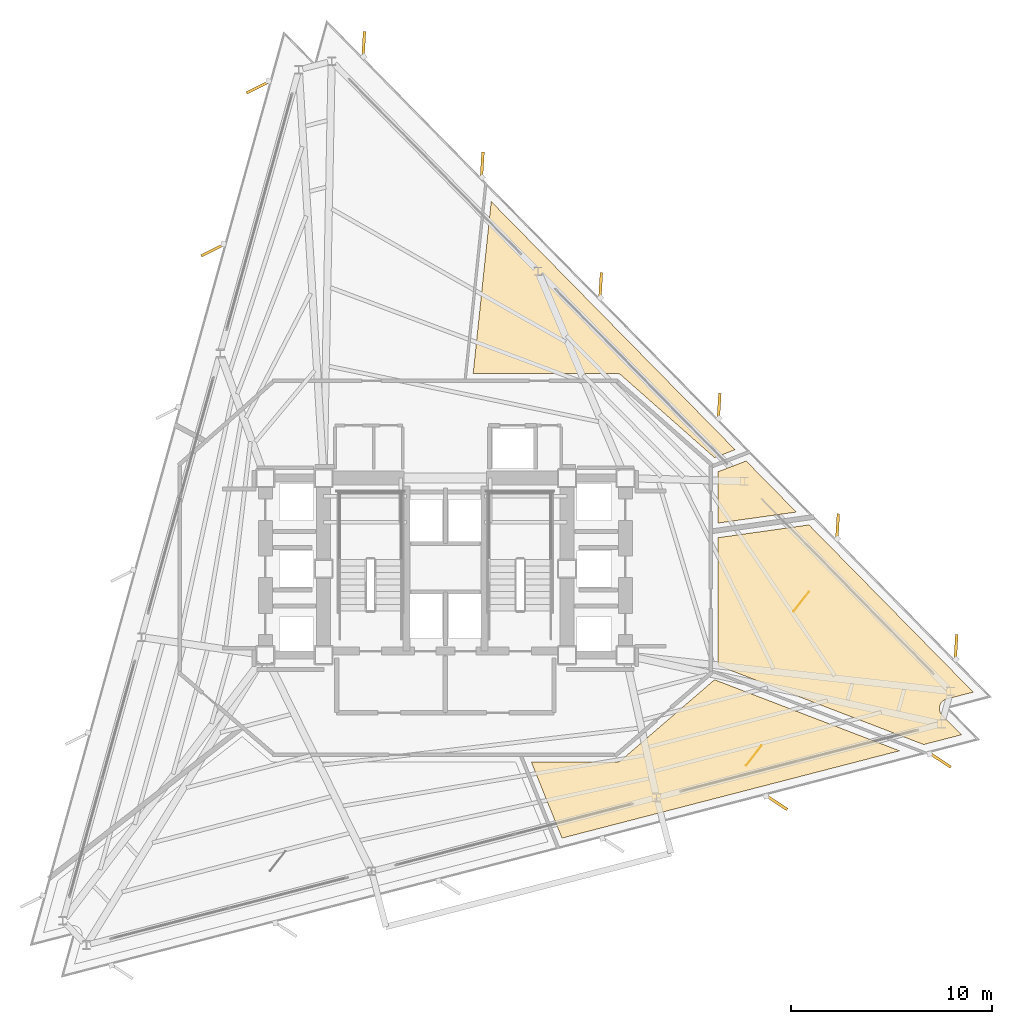
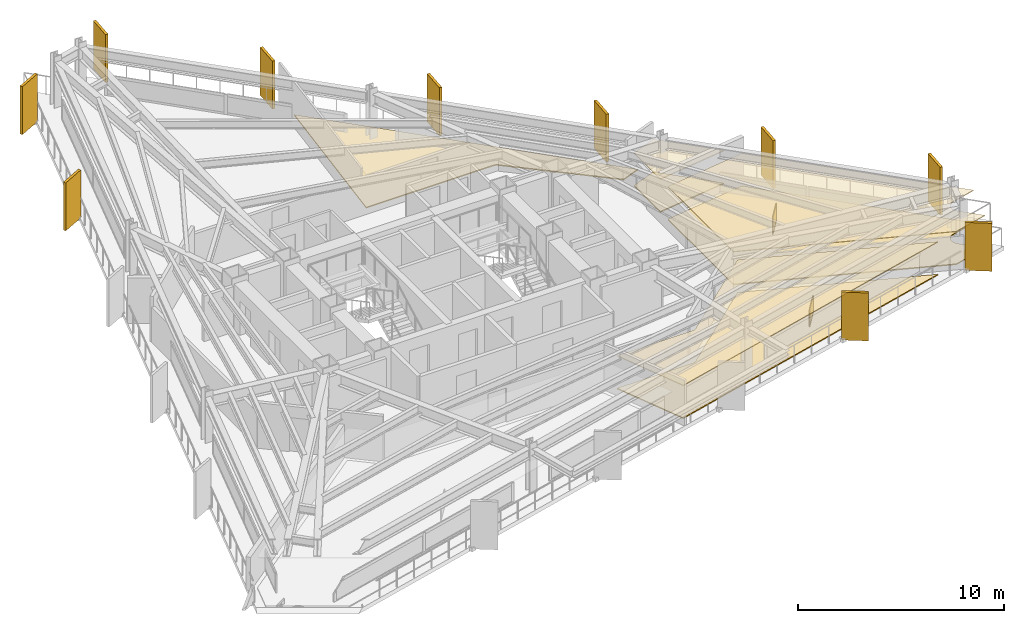
# One storey, part 11 of 11: 10 shading devices, 9 coverings.
"""IFC4 building model written with IfcOpenShell, lengths in metres."""

from ifc_helpers import new_model, si_unit, direction, frame, origin, origin_2d, place, context, subcontext, project, spatial, polyline, rectangle, outline, extrude, material, layer, layer_set, type_object, element, save


model = new_model("IFC4")

# Units and contexts
model_context = context("Model", 3, precision=1e-05, world=origin(), true_north=direction((0.0, 1.0)))
body_context = subcontext(model_context, "Body", "Model", "MODEL_VIEW")
ifc_project = project(units=[si_unit("LENGTHUNIT", "METRE"), si_unit("AREAUNIT", "SQUARE_METRE"), si_unit("VOLUMEUNIT", "CUBIC_METRE"), si_unit("PLANEANGLEUNIT", "RADIAN"), si_unit("MASSUNIT", "GRAM", prefix="KILO")], contexts=[model_context])

# Site, building, storey
site_placement = place(None, origin())
site = spatial("IfcSite", under=ifc_project, at=site_placement, CompositionType="ELEMENT")
building_placement = place(site_placement, origin())
building = spatial("IfcBuilding", under=site, at=building_placement, Name="Rocaltana Carrier Exchange", CompositionType="ELEMENT")
storey_placement = place(building_placement, frame((0.0, 0.0, 97.760009765625)))
storey = spatial("IfcBuildingStorey", under=building, at=storey_placement, Name="L30", CompositionType="ELEMENT", Elevation=97.760009765625)

# Coverings
ifc_material_1 = material(Name="Calcium Sulphate & Aluminium Pedestal", Category="aluminium")
ifc_layer_1 = layer(ifc_material_1, 0.06005859375)
ifc_layer_set_1 = layer_set([ifc_layer_1], Name="Calcium Sulphate & Aluminium Pedestal")
covering_type_1 = type_object("IfcCoveringType", Name="Anti-Static Raised Exchange Access Floor 60", PredefinedType="FLOORING", material=ifc_layer_set_1)
covering_1_placement = place(storey_placement, origin())
element("IfcCovering", 1, at=covering_1_placement, inside=storey, type_object=covering_type_1, Name="L30 Network Engineering Studio Finish Floor", PredefinedType="FLOORING", context=body_context, shape_type="SweptSolid", body=[
    extrude(outline(polyline([(5.79833984375, -13.390380859375), (4.27099609375, -9.610107421875), (8.5, -9.610107421875), (8.51416015625, -9.609619140625), (8.522216796875, -9.609130859375), (8.550537109375, -9.606201171875), (8.55859375, -9.60498046875), (8.58642578125, -9.599365234375), (8.594482421875, -9.597412109375), (8.62158203125, -9.5888671875), (8.629150390625, -9.5859375), (8.6552734375, -9.57470703125), (8.66259765625, -9.571044921875), (8.6875, -9.557373046875), (8.6943359375, -9.552978515625), (8.717529296875, -9.53662109375), (8.72412109375, -9.53173828125), (8.735107421875, -9.522705078125), (13.378662109375, -5.521240234375), (22.575439453125, -9.051513671875), (5.79833984375, -13.390380859375)])), origin(), (0.0, 0.0, 1.0), 0.06005859375),
])
covering_2_placement = place(storey_placement, origin())
element("IfcCovering", 2, at=covering_2_placement, inside=storey, type_object=covering_type_1, Name="L30 Peering Conference Room Finish Floor", PredefinedType="FLOORING", context=body_context, shape_type="SweptSolid", body=[
    extrude(outline(polyline([(26.24072265625, -6.1357421875), (24.915771484375, -6.478515625), (24.90234375, -6.482177734375), (24.88330078125, -6.48828125), (24.857177734375, -6.497802734375), (24.838623046875, -6.505615234375), (24.813720703125, -6.517822265625), (24.796142578125, -6.52734375), (24.7724609375, -6.5419921875), (24.755859375, -6.553466796875), (24.73388671875, -6.5703125), (24.718505859375, -6.583251953125), (24.697998046875, -6.602294921875), (24.684326171875, -6.61669921875), (24.666015625, -6.6376953125), (24.653564453125, -6.6533203125), (24.63720703125, -6.67578125), (24.62646484375, -6.692626953125), (24.61279296875, -6.717041015625), (24.603515625, -6.734619140625), (24.59228515625, -6.76025390625), (24.5849609375, -6.77880859375), (24.576416015625, -6.805419921875), (24.57080078125, -6.824462890625), (24.564697265625, -6.851806640625), (24.561279296875, -6.871337890625), (24.55810546875, -6.899169921875), (24.556640625, -6.9189453125), (24.55615234375, -6.947021484375), (24.556640625, -6.966796875), (24.558837890625, -6.99462890625), (24.561279296875, -7.014404296875), (24.56640625, -7.0419921875), (24.57080078125, -7.061279296875), (24.57861328125, -7.088134765625), (24.5849609375, -7.10693359375), (24.59521484375, -7.133056640625), (24.603515625, -7.151123046875), (24.6162109375, -7.17578125), (24.626220703125, -7.193115234375), (24.6416015625, -7.216552734375), (24.6533203125, -7.232666015625), (24.6708984375, -7.25439453125), (24.68408203125, -7.269287109375), (24.693603515625, -7.279541015625), (25.65283203125, -8.255615234375), (23.77587890625, -8.7412109375), (13.56005859375, -4.819580078125), (13.56005859375, 1.542236328125), (18.072509765625, 2.176513671875), (26.24072265625, -6.1357421875)])), origin(), (0.0, 0.0, 1.0), 0.06005859375),
])
covering_3_placement = place(storey_placement, origin())
element("IfcCovering", 3, at=covering_3_placement, inside=storey, type_object=covering_type_1, Name="L30 Protocol Calibration Laboratory Finish Floor", PredefinedType="FLOORING", context=body_context, shape_type="SweptSolid", body=[
    extrude(outline(polyline([(17.444580078125, 2.815185546875), (13.56005859375, 2.269287109375), (13.56005859375, 4.819580078125), (14.950439453125, 5.353271484375), (17.444580078125, 2.815185546875)])), origin(), (0.0, 0.0, 1.0), 0.06005859375),
])
covering_4_placement = place(storey_placement, origin())
element("IfcCovering", 4, at=covering_4_placement, inside=storey, type_object=covering_type_1, Name="L30 Network Engineering Studio Finish Floor", PredefinedType="FLOORING", context=body_context, shape_type="SweptSolid", body=[
    extrude(outline(polyline([(13.379638671875, 5.521484375), (8.73828125, 9.619873046875), (8.727294921875, 9.629150390625), (8.720703125, 9.63427734375), (8.697265625, 9.651123046875), (8.690185546875, 9.655517578125), (8.6650390625, 9.669921875), (8.65771484375, 9.673583984375), (8.631103515625, 9.68505859375), (8.62353515625, 9.68798828125), (8.595947265625, 9.697021484375), (8.587890625, 9.698974609375), (8.5595703125, 9.704833984375), (8.551513671875, 9.706298828125), (8.522705078125, 9.709228515625), (8.514404296875, 9.709716796875), (8.5, 9.7099609375), (1.382568359375, 9.7099609375), (2.27978515625, 18.2470703125), (14.400146484375, 5.913330078125), (13.379638671875, 5.521484375)])), origin(), (0.0, 0.0, 1.0), 0.06005859375),
])
ifc_material_2 = material(Name="Mineral Fibre & Powder-Coated Aluminium", Category="aluminium")
ifc_layer_2 = layer(ifc_material_2, 0.044921875)
ifc_layer_set_2 = layer_set([ifc_layer_2], Name="Mineral Fibre & Powder-Coated Aluminium")
covering_type_2 = type_object("IfcCoveringType", Name="Micro-Perforated Acoustic Ceiling 45", PredefinedType="CEILING", material=ifc_layer_set_2)
covering_5_placement = place(storey_placement, frame((0.0, 0.0, 1.94287109375)))
element("IfcCovering", 5, at=covering_5_placement, inside=storey, type_object=covering_type_2, Name="L30 Network Engineering Studio Acoustic Ceiling", PredefinedType="CEILING", context=body_context, shape_type="SweptSolid", body=[
    extrude(outline(polyline([(5.79833984375, -13.390380859375), (4.27099609375, -9.610107421875), (8.5, -9.610107421875), (8.51416015625, -9.609619140625), (8.522216796875, -9.609130859375), (8.550537109375, -9.606201171875), (8.55859375, -9.60498046875), (8.58642578125, -9.599365234375), (8.594482421875, -9.597412109375), (8.62158203125, -9.5888671875), (8.629150390625, -9.5859375), (8.6552734375, -9.57470703125), (8.66259765625, -9.571044921875), (8.6875, -9.557373046875), (8.6943359375, -9.552978515625), (8.717529296875, -9.53662109375), (8.72412109375, -9.53173828125), (8.735107421875, -9.522705078125), (13.378662109375, -5.521240234375), (22.575439453125, -9.051513671875), (5.79833984375, -13.390380859375)])), origin(), (0.0, 0.0, 1.0), 0.045166015625),
])
covering_6_placement = place(storey_placement, frame((0.0, 0.0, 1.94287109375)))
element("IfcCovering", 6, at=covering_6_placement, inside=storey, type_object=covering_type_2, Name="L30 Peering Conference Room Acoustic Ceiling", PredefinedType="CEILING", context=body_context, shape_type="SweptSolid", body=[
    extrude(outline(polyline([(26.24072265625, -6.1357421875), (24.915771484375, -6.478515625), (24.90234375, -6.482177734375), (24.88330078125, -6.48828125), (24.857177734375, -6.497802734375), (24.838623046875, -6.505615234375), (24.813720703125, -6.517822265625), (24.796142578125, -6.52734375), (24.7724609375, -6.5419921875), (24.755859375, -6.553466796875), (24.73388671875, -6.5703125), (24.718505859375, -6.583251953125), (24.697998046875, -6.602294921875), (24.684326171875, -6.61669921875), (24.666015625, -6.6376953125), (24.653564453125, -6.6533203125), (24.63720703125, -6.67578125), (24.62646484375, -6.692626953125), (24.61279296875, -6.717041015625), (24.603515625, -6.734619140625), (24.59228515625, -6.76025390625), (24.5849609375, -6.77880859375), (24.576416015625, -6.805419921875), (24.57080078125, -6.824462890625), (24.564697265625, -6.851806640625), (24.561279296875, -6.871337890625), (24.55810546875, -6.899169921875), (24.556640625, -6.9189453125), (24.55615234375, -6.947021484375), (24.556640625, -6.966796875), (24.558837890625, -6.99462890625), (24.561279296875, -7.014404296875), (24.56640625, -7.0419921875), (24.57080078125, -7.061279296875), (24.57861328125, -7.088134765625), (24.5849609375, -7.10693359375), (24.59521484375, -7.133056640625), (24.603515625, -7.151123046875), (24.6162109375, -7.17578125), (24.626220703125, -7.193115234375), (24.6416015625, -7.216552734375), (24.6533203125, -7.232666015625), (24.6708984375, -7.25439453125), (24.68408203125, -7.269287109375), (24.693603515625, -7.279541015625), (25.65283203125, -8.255615234375), (23.77587890625, -8.7412109375), (13.56005859375, -4.819580078125), (13.56005859375, 1.542236328125), (18.072509765625, 2.176513671875), (26.24072265625, -6.1357421875)])), origin(), (0.0, 0.0, 1.0), 0.045166015625),
])
covering_7_placement = place(storey_placement, frame((0.0, 0.0, 1.94287109375)))
element("IfcCovering", 7, at=covering_7_placement, inside=storey, type_object=covering_type_2, Name="L30 Protocol Calibration Laboratory Acoustic Ceiling", PredefinedType="CEILING", context=body_context, shape_type="SweptSolid", body=[
    extrude(outline(polyline([(17.444580078125, 2.815185546875), (13.56005859375, 2.269287109375), (13.56005859375, 4.819580078125), (14.950439453125, 5.353271484375), (17.444580078125, 2.815185546875)])), origin(), (0.0, 0.0, 1.0), 0.045166015625),
])
ifc_material_3 = material(Name="Honed Piedra Muneca Sandstone", Category="masonry")
ifc_layer_3 = layer(ifc_material_3, 0.034912109375)
ifc_layer_set_3 = layer_set([ifc_layer_3], Name="Honed Piedra Muneca Sandstone")
covering_type_3 = type_object("IfcCoveringType", Name="Stone Facade Cladding 35", PredefinedType="CLADDING", material=ifc_layer_set_3)
for number, where, z_axis, x_axis, name in (
    (8, (15.33642578125, -9.287109375, 0.0), (0.0, 0.0, 1.0), (0.615661475326, 0.788010753607, 0.0), "L30 Stone Facade Cladding Panel 3"),
    (9, (17.69091796875, -1.638671875, 0.0), (0.0, 0.0, 1.0), (0.615661475326, 0.788010753607, 0.0), "L30 Stone Facade Cladding Panel 4"),
):
    element("IfcCovering", number, at=place(storey_placement, frame(where, z_axis=z_axis, x_axis=x_axis)), inside=storey, type_object=covering_type_3, Name=name, PredefinedType="CLADDING", context=body_context, shape_type="SweptSolid", body=[
        extrude(rectangle(XDim=1.25, YDim=0.034912109375, at=origin_2d()), origin(), (0.0, 0.0, 1.0), 1.050048828125),
    ])

# Shading devices
ifc_material_4 = material(Name="Honed Bogota Sandstone & Concrete C45/55", Category="masonry")
ifc_layer_4 = layer(ifc_material_4, 0.139892578125)
ifc_layer_set_4 = layer_set([ifc_layer_4], Name="Honed Bogota Sandstone & Concrete C45/55")
shading_device_type = type_object("IfcShadingDeviceType", Name="Vertical Sandstone Shading Fin 1320x140", PredefinedType="USERDEFINED", material=ifc_layer_set_4)
for number, where, z_axis, x_axis, name in (
    (10, (25.38134765625, -3.9189453125, -0.119873046875), (0.0, 0.0, 1.0), (0.061048539535, 0.998134798422, 0.0), "L30 Sandstone Vertical Fin F1-01"),
    (11, (19.49365234375, 2.072509765625, -0.119873046875), (0.0, 0.0, 1.0), (0.061048539535, 0.998134798422, 0.0), "L30 Sandstone Vertical Fin F1-02"),
    (12, (13.60595703125, 8.063720703125, -0.119873046875), (0.0, 0.0, 1.0), (0.061048539535, 0.998134798422, 0.0), "L30 Sandstone Vertical Fin F1-03"),
    (13, (7.718505859375, 14.054931640625, -0.119873046875), (0.0, 0.0, 1.0), (0.061048539535, 0.998134798422, 0.0), "L30 Sandstone Vertical Fin F1-04"),
    (14, (1.830810546875, 20.04638671875, -0.119873046875), (0.0, 0.0, 1.0), (0.061048539535, 0.998134798422, 0.0), "L30 Sandstone Vertical Fin F1-05"),
    (15, (-4.056884765625, 26.03759765625, -0.119873046875), (0.0, 0.0, 1.0), (0.061048539535, 0.998134798422, 0.0), "L30 Sandstone Vertical Fin F1-06"),
    (16, (-9.296630859375, 23.940185546875, -0.119873046875), (0.0, 0.0, 1.0), (-0.894934361602, -0.44619781311, 0.0), "L30 Sandstone Vertical Fin F2-01"),
    (17, (-11.54150390625, 15.845703125, -0.119873046875), (0.0, 0.0, 1.0), (-0.894934361602, -0.44619781311, 0.0), "L30 Sandstone Vertical Fin F2-02"),
    (18, (16.4453125, -11.608642578125, -0.119873046875), (0.0, 0.0, 1.0), (0.833885822067, -0.551936985312, 0.0), "L30 Sandstone Vertical Fin F3-05"),
    (19, (24.57763671875, -9.50537109375, -0.119873046875), (0.0, 0.0, 1.0), (0.833885822067, -0.551936985312, 0.0), "L30 Sandstone Vertical Fin F3-06"),
):
    element("IfcShadingDevice", number, at=place(storey_placement, frame(where, z_axis=z_axis, x_axis=x_axis)), inside=storey, type_object=shading_device_type, Name=name, ObjectType="FIN", PredefinedType="USERDEFINED", context=body_context, shape_type="SweptSolid", body=[
        extrude(rectangle(XDim=1.320068359375, YDim=0.139892578125, at=origin_2d()), origin(), (0.0, 0.0, 1.0), 2.837890625),
    ])

save(model, "model.ifc")
